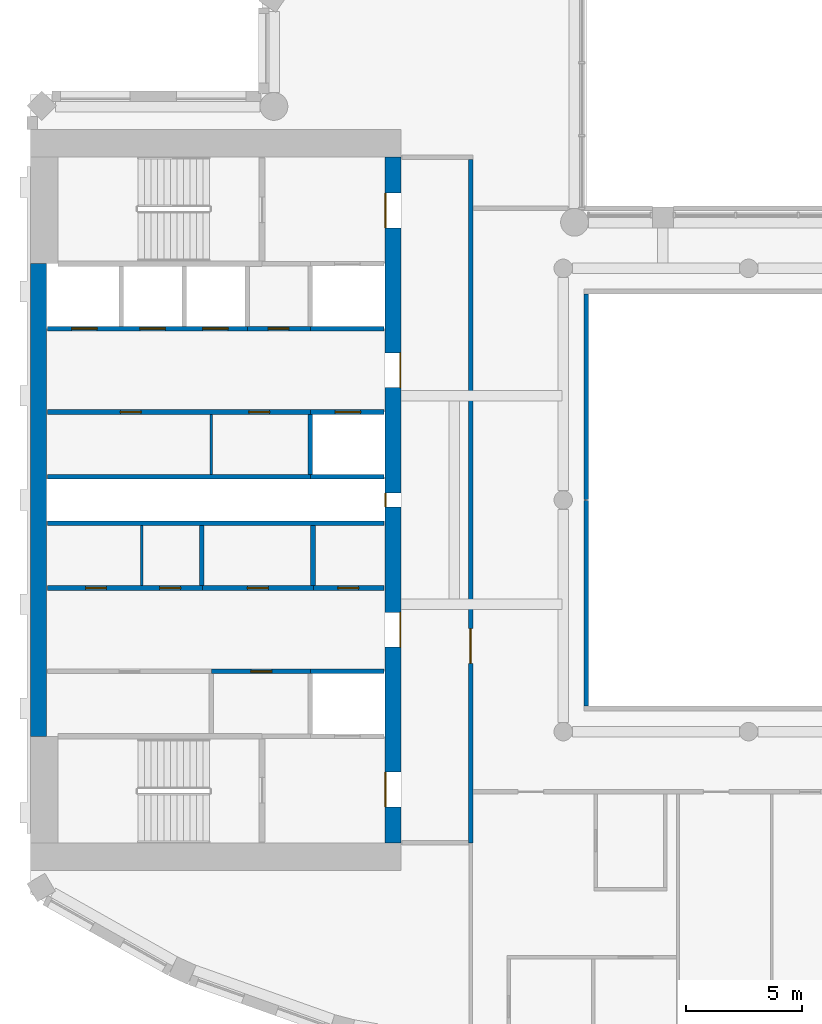
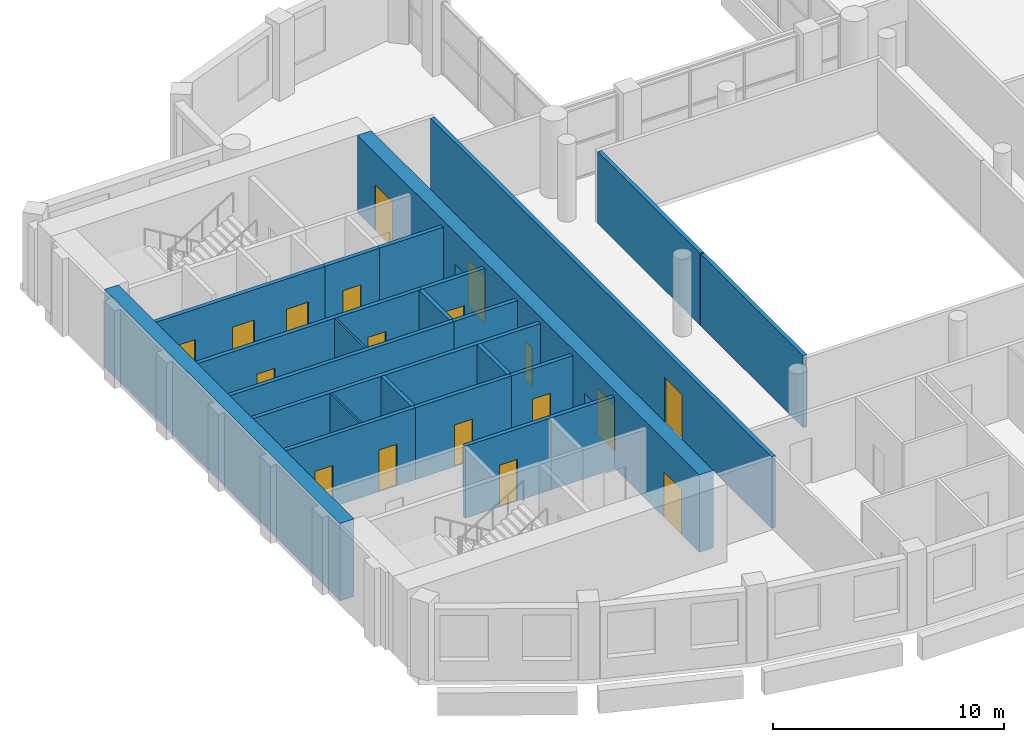
# One storey, part 5 of 15: 23 walls, 18 doors, 18 openings.
"""IFC4 building model written with IfcOpenShell, lengths in metres."""

from ifc_helpers import new_model, si_unit, direction, frame, frame_2d, origin, place, context, subcontext, project, spatial, rectangle, extrude, material, layer, layer_set, type_object, element, fill, save


model = new_model("IFC4")

# Units and contexts
model_context = context("Model", 3, precision=1e-05, world=origin(), true_north=direction((0.0, 1.0)))
body_context = subcontext(model_context, "Body", "Model", "MODEL_VIEW")
ifc_project = project(units=[si_unit("LENGTHUNIT", "METRE"), si_unit("AREAUNIT", "SQUARE_METRE"), si_unit("VOLUMEUNIT", "CUBIC_METRE"), si_unit("PLANEANGLEUNIT", "RADIAN"), si_unit("MASSUNIT", "GRAM", prefix="KILO")], contexts=[model_context])

# Site, building, storey
site_placement = place(None, origin())
site = spatial("IfcSite", under=ifc_project, at=site_placement, CompositionType="ELEMENT")
building_placement = place(site_placement, origin())
building = spatial("IfcBuilding", under=site, at=building_placement, Name="Cypress Arch Tower", CompositionType="ELEMENT")
storey_placement = place(building_placement, frame((0.0, 0.0, 321.300048828125)))
storey = spatial("IfcBuildingStorey", under=building, at=storey_placement, Name="L73", CompositionType="ELEMENT", Elevation=321.300048828125)

# Wall, openings, doors
ifc_material_1 = material(Name="Concrete C60/75", Category="concrete")
ifc_layer_1 = layer(ifc_material_1, 0.699951171875)
ifc_layer_set_1 = layer_set([ifc_layer_1], Name="Core wall CW700 C60/75")
wall_type_1 = type_object("IfcWallType", Name="Core wall CW700 C60/75", PredefinedType="SHEAR", material=ifc_layer_set_1)
wall_1_placement = place(storey_placement, frame((-14.35009765625, -14.800048828125, 0.0), z_axis=(0.0, 0.0, 1.0), x_axis=(0.0, 1.0, 0.0)))
wall_1 = element("IfcWall", 1, at=wall_1_placement, inside=storey, type_object=wall_type_1, Name="Core wall", PredefinedType="SHEAR", context=body_context, shape_type="SweptSolid", body=[
    extrude(rectangle(XDim=29.60009765625, YDim=0.699951171875, at=frame_2d((14.800048828125, 0.0))), origin(), (0.0, 0.0, 1.0), 4.099853515625),
])
opening_1_placement = place(wall_1_placement, frame((1.550048828125, 0.0, 0.0)))
opening_1 = element("IfcOpeningElement", 2, at=opening_1_placement, cuts=wall_1, Name="Opening D07", PredefinedType="OPENING", context=body_context, shape_type="SweptSolid", body=[
    extrude(rectangle(XDim=1.5, YDim=2.39990234375, at=frame_2d((0.75, 1.199951171875))), frame((0.0, 0.35986328125, 0.0), z_axis=(0.0, -1.0, 0.0), x_axis=(1.0, 0.0, 0.0)), (0.0, 0.0, 1.0), 0.719970703125),
])
opening_2_placement = place(wall_1_placement, frame((26.550048828125, 0.0, 0.0)))
opening_2 = element("IfcOpeningElement", 3, at=opening_2_placement, cuts=wall_1, Name="Opening D07", PredefinedType="OPENING", context=body_context, shape_type="SweptSolid", body=[
    extrude(rectangle(XDim=1.5, YDim=2.39990234375, at=frame_2d((0.75, 1.199951171875))), frame((0.0, 0.35986328125, 0.0), z_axis=(0.0, -1.0, 0.0), x_axis=(1.0, 0.0, 0.0)), (0.0, 0.0, 1.0), 0.719970703125),
])
opening_3_placement = place(wall_1_placement, frame((8.449951171875, 0.0, 0.0)))
opening_3 = element("IfcOpeningElement", 4, at=opening_3_placement, cuts=wall_1, Name="Opening D07", PredefinedType="OPENING", context=body_context, shape_type="SweptSolid", body=[
    extrude(rectangle(XDim=1.5, YDim=2.39990234375, at=frame_2d((0.75, 1.199951171875))), frame((0.0, 0.35986328125, 0.0), z_axis=(0.0, -1.0, 0.0), x_axis=(1.0, 0.0, 0.0)), (0.0, 0.0, 1.0), 0.719970703125),
])
opening_4_placement = place(wall_1_placement, frame((19.64990234375, 0.0, 0.0)))
opening_4 = element("IfcOpeningElement", 5, at=opening_4_placement, cuts=wall_1, Name="Opening D07", PredefinedType="OPENING", context=body_context, shape_type="SweptSolid", body=[
    extrude(rectangle(XDim=1.5, YDim=2.39990234375, at=frame_2d((0.75, 1.199951171875))), frame((0.0, 0.35986328125, 0.0), z_axis=(0.0, -1.0, 0.0), x_axis=(1.0, 0.0, 0.0)), (0.0, 0.0, 1.0), 0.719970703125),
])
opening_5_placement = place(wall_1_placement, frame((14.5, 0.0, 0.0)))
opening_5 = element("IfcOpeningElement", 6, at=opening_5_placement, cuts=wall_1, Name="Opening D08", PredefinedType="OPENING", context=body_context, shape_type="SweptSolid", body=[
    extrude(rectangle(XDim=0.60009765625, YDim=2.0, at=frame_2d((0.300048828125, 1.0))), frame((0.0, 0.35986328125, 0.0), z_axis=(0.0, -1.0, 0.0), x_axis=(1.0, 0.0, 0.0)), (0.0, 0.0, 1.0), 0.719970703125),
])
ifc_material_2 = material(Name="Steel framed glazed door, fire resisting", Category="steel")
door_type_1 = type_object("IfcDoorType", Name="Lobby door D07 1500x2400", OperationType="DOUBLE_DOOR_SINGLE_SWING", PredefinedType="DOOR", material=ifc_material_2)
door_1_placement = place(opening_1_placement, origin())
door_1 = element("IfcDoor", 7, at=door_1_placement, inside=storey, type_object=door_type_1, Name="Lobby door", OperationType="DOUBLE_DOOR_SINGLE_SWING", OverallHeight=2.39990234375, OverallWidth=1.5, PredefinedType="DOOR", context=body_context, shape_type="SweptSolid", body=[
    extrude(rectangle(XDim=1.5, YDim=2.39990234375, at=frame_2d((0.75, 1.199951171875))), frame((0.0, 0.34521484375, 0.0), z_axis=(0.0, -1.0, 0.0), x_axis=(1.0, 0.0, 0.0)), (0.0, 0.0, 1.0), 0.050048828125),
])
fill(opening_1, door_1)
door_2_placement = place(opening_2_placement, origin())
door_2 = element("IfcDoor", 8, at=door_2_placement, inside=storey, type_object=door_type_1, Name="Lobby door", OperationType="DOUBLE_DOOR_SINGLE_SWING", OverallHeight=2.39990234375, OverallWidth=1.5, PredefinedType="DOOR", context=body_context, shape_type="SweptSolid", body=[
    extrude(rectangle(XDim=1.5, YDim=2.39990234375, at=frame_2d((0.75, 1.199951171875))), frame((0.0, 0.34521484375, 0.0), z_axis=(0.0, -1.0, 0.0), x_axis=(1.0, 0.0, 0.0)), (0.0, 0.0, 1.0), 0.050048828125),
])
fill(opening_2, door_2)
door_3_placement = place(opening_3_placement, origin())
door_3 = element("IfcDoor", 9, at=door_3_placement, inside=storey, type_object=door_type_1, Name="Lobby door", OperationType="DOUBLE_DOOR_SINGLE_SWING", OverallHeight=2.39990234375, OverallWidth=1.5, PredefinedType="DOOR", context=body_context, shape_type="SweptSolid", body=[
    extrude(rectangle(XDim=1.5, YDim=2.39990234375, at=frame_2d((0.75, 1.199951171875))), frame((0.0, -0.294921875, 0.0), z_axis=(0.0, -1.0, 0.0), x_axis=(1.0, 0.0, 0.0)), (0.0, 0.0, 1.0), 0.050048828125),
])
fill(opening_3, door_3)
door_4_placement = place(opening_4_placement, origin())
door_4 = element("IfcDoor", 10, at=door_4_placement, inside=storey, type_object=door_type_1, Name="Lobby door", OperationType="DOUBLE_DOOR_SINGLE_SWING", OverallHeight=2.39990234375, OverallWidth=1.5, PredefinedType="DOOR", context=body_context, shape_type="SweptSolid", body=[
    extrude(rectangle(XDim=1.5, YDim=2.39990234375, at=frame_2d((0.75, 1.199951171875))), frame((0.0, -0.294921875, 0.0), z_axis=(0.0, -1.0, 0.0), x_axis=(1.0, 0.0, 0.0)), (0.0, 0.0, 1.0), 0.050048828125),
])
fill(opening_4, door_4)
ifc_material_3 = material(Name="Steel access door, fire resisting", Category="steel")
door_type_2 = type_object("IfcDoorType", Name="Riser access door D08 600x2000", OperationType="SINGLE_SWING_LEFT", PredefinedType="DOOR", material=ifc_material_3)
door_5_placement = place(opening_5_placement, origin())
door_5 = element("IfcDoor", 11, at=door_5_placement, inside=storey, type_object=door_type_2, Name="Riser access door", OperationType="SINGLE_SWING_RIGHT", OverallHeight=2.0, OverallWidth=0.60009765625, PredefinedType="DOOR", context=body_context, shape_type="SweptSolid", body=[
    extrude(rectangle(XDim=0.60009765625, YDim=2.0, at=frame_2d((0.300048828125, 1.0))), frame((0.0, 0.34521484375, 0.0), z_axis=(0.0, -1.0, 0.0), x_axis=(1.0, 0.0, 0.0)), (0.0, 0.0, 1.0), 0.050048828125),
])
fill(opening_5, door_5)

# Wall
wall_2_placement = place(storey_placement, frame((-29.64990234375, -10.199951171875, 0.0), z_axis=(0.0, 0.0, 1.0), x_axis=(0.0, 1.0, 0.0)))
element("IfcWall", 12, at=wall_2_placement, inside=storey, type_object=wall_type_1, Name="Core wall", PredefinedType="SHEAR", context=body_context, shape_type="SweptSolid", body=[
    extrude(rectangle(XDim=20.39990234375, YDim=0.699951171875, at=frame_2d((10.199951171875, 0.0))), origin(), (0.0, 0.0, 1.0), 4.099853515625),
])

# Wall, openings, doors
ifc_material_4 = material(Name="Concrete blockwork, plastered, rated", Category="masonry")
ifc_layer_2 = layer(ifc_material_4, 0.199951171875)
ifc_layer_set_2 = layer_set([ifc_layer_2], Name="Corridor wall FW200")
wall_type_2 = type_object("IfcWallType", Name="Corridor wall FW200", PredefinedType="PARTITIONING", material=ifc_layer_set_2)
wall_3_placement = place(storey_placement, frame((-29.27001953125, -3.800048828125, 0.0), z_axis=(0.0, 0.0, 1.0), x_axis=(1.0, 0.0, 0.0)))
wall_3 = element("IfcWall", 13, at=wall_3_placement, inside=storey, type_object=wall_type_2, Name="Corridor wall", PredefinedType="PARTITIONING", context=body_context, shape_type="SweptSolid", body=[
    extrude(rectangle(XDim=6.68994140625, YDim=0.199951171875, at=frame_2d((3.344970703125, 0.0))), origin(), (0.0, 0.0, 1.0), 3.800048828125),
])
opening_6_placement = place(wall_3_placement, frame((1.64990234375, 0.0, 0.0)))
opening_6 = element("IfcOpeningElement", 14, at=opening_6_placement, cuts=wall_3, Name="Opening D05", PredefinedType="OPENING", context=body_context, shape_type="SweptSolid", body=[
    extrude(rectangle(XDim=0.89990234375, YDim=2.199951171875, at=frame_2d((0.449951171875, 1.10009765625))), frame((0.0, 0.10986328125, 0.0), z_axis=(0.0, -1.0, 0.0), x_axis=(1.0, 0.0, 0.0)), (0.0, 0.0, 1.0), 0.219970703125),
])
opening_7_placement = place(wall_3_placement, frame((4.85009765625, 0.0, 0.0)))
opening_7 = element("IfcOpeningElement", 15, at=opening_7_placement, cuts=wall_3, Name="Opening D05", PredefinedType="OPENING", context=body_context, shape_type="SweptSolid", body=[
    extrude(rectangle(XDim=0.89990234375, YDim=2.199951171875, at=frame_2d((0.449951171875, 1.10009765625))), frame((0.0, 0.10986328125, 0.0), z_axis=(0.0, -1.0, 0.0), x_axis=(1.0, 0.0, 0.0)), (0.0, 0.0, 1.0), 0.219970703125),
])
ifc_material_5 = material(Name="Timber flush door", Category="wood")
door_type_3 = type_object("IfcDoorType", Name="Service door D05 900x2200", OperationType="SINGLE_SWING_LEFT", PredefinedType="DOOR", material=ifc_material_5)
door_6_placement = place(opening_6_placement, origin())
door_6 = element("IfcDoor", 16, at=door_6_placement, inside=storey, type_object=door_type_3, Name="Service door", OperationType="SINGLE_SWING_RIGHT", OverallHeight=2.199951171875, OverallWidth=0.89990234375, PredefinedType="DOOR", context=body_context, shape_type="SweptSolid", body=[
    extrude(rectangle(XDim=0.89990234375, YDim=2.199951171875, at=frame_2d((0.449951171875, 1.10009765625))), frame((0.0, 0.02490234375, 0.0), z_axis=(0.0, -1.0, 0.0), x_axis=(1.0, 0.0, 0.0)), (0.0, 0.0, 1.0), 0.050048828125),
])
fill(opening_6, door_6)
door_7_placement = place(opening_7_placement, origin())
door_7 = element("IfcDoor", 17, at=door_7_placement, inside=storey, type_object=door_type_3, Name="Service door", OperationType="SINGLE_SWING_LEFT", OverallHeight=2.199951171875, OverallWidth=0.89990234375, PredefinedType="DOOR", context=body_context, shape_type="SweptSolid", body=[
    extrude(rectangle(XDim=0.89990234375, YDim=2.199951171875, at=frame_2d((0.449951171875, 1.10009765625))), frame((0.0, 0.02490234375, 0.0), z_axis=(0.0, -1.0, 0.0), x_axis=(1.0, 0.0, 0.0)), (0.0, 0.0, 1.0), 0.050048828125),
])
fill(opening_7, door_7)

wall_4_placement = place(storey_placement, frame((-29.27001953125, 3.800048828125, 0.0), z_axis=(0.0, 0.0, 1.0), x_axis=(1.0, 0.0, 0.0)))
wall_4 = element("IfcWall", 18, at=wall_4_placement, inside=storey, type_object=wall_type_2, Name="Corridor wall", PredefinedType="PARTITIONING", context=body_context, shape_type="SweptSolid", body=[
    extrude(rectangle(XDim=11.3701171875, YDim=0.199951171875, at=frame_2d((5.68505859375, 0.0))), origin(), (0.0, 0.0, 1.0), 3.800048828125),
])
opening_8_placement = place(wall_4_placement, frame((3.14990234375, 0.0, 0.0)))
opening_8 = element("IfcOpeningElement", 19, at=opening_8_placement, cuts=wall_4, Name="Opening D05", PredefinedType="OPENING", context=body_context, shape_type="SweptSolid", body=[
    extrude(rectangle(XDim=0.89990234375, YDim=2.199951171875, at=frame_2d((0.449951171875, 1.10009765625))), frame((0.0, 0.10986328125, 0.0), z_axis=(0.0, -1.0, 0.0), x_axis=(1.0, 0.0, 0.0)), (0.0, 0.0, 1.0), 0.219970703125),
])
opening_9_placement = place(wall_4_placement, frame((8.699951171875, 0.0, 0.0)))
opening_9 = element("IfcOpeningElement", 20, at=opening_9_placement, cuts=wall_4, Name="Opening D05", PredefinedType="OPENING", context=body_context, shape_type="SweptSolid", body=[
    extrude(rectangle(XDim=0.89990234375, YDim=2.199951171875, at=frame_2d((0.449951171875, 1.10009765625))), frame((0.0, 0.10986328125, 0.0), z_axis=(0.0, -1.0, 0.0), x_axis=(1.0, 0.0, 0.0)), (0.0, 0.0, 1.0), 0.219970703125),
])
door_8_placement = place(opening_8_placement, origin())
door_8 = element("IfcDoor", 21, at=door_8_placement, inside=storey, type_object=door_type_3, Name="Service door", OperationType="SINGLE_SWING_LEFT", OverallHeight=2.199951171875, OverallWidth=0.89990234375, PredefinedType="DOOR", context=body_context, shape_type="SweptSolid", body=[
    extrude(rectangle(XDim=0.89990234375, YDim=2.199951171875, at=frame_2d((0.449951171875, 1.10009765625))), frame((0.0, 0.02490234375, 0.0), z_axis=(0.0, -1.0, 0.0), x_axis=(1.0, 0.0, 0.0)), (0.0, 0.0, 1.0), 0.050048828125),
])
fill(opening_8, door_8)
door_9_placement = place(opening_9_placement, origin())
door_9 = element("IfcDoor", 22, at=door_9_placement, inside=storey, type_object=door_type_3, Name="Service door", OperationType="SINGLE_SWING_RIGHT", OverallHeight=2.199951171875, OverallWidth=0.89990234375, PredefinedType="DOOR", context=body_context, shape_type="SweptSolid", body=[
    extrude(rectangle(XDim=0.89990234375, YDim=2.199951171875, at=frame_2d((0.449951171875, 1.10009765625))), frame((0.0, 0.02490234375, 0.0), z_axis=(0.0, -1.0, 0.0), x_axis=(1.0, 0.0, 0.0)), (0.0, 0.0, 1.0), 0.050048828125),
])
fill(opening_9, door_9)

# Wall, opening, door
wall_5_placement = place(storey_placement, frame((-20.639892578125, 7.39990234375, 0.0), z_axis=(0.0, 0.0, 1.0), x_axis=(1.0, 0.0, 0.0)))
wall_5 = element("IfcWall", 23, at=wall_5_placement, inside=storey, type_object=wall_type_2, Name="Corridor wall", PredefinedType="PARTITIONING", context=body_context, shape_type="SweptSolid", body=[
    extrude(rectangle(XDim=2.719970703125, YDim=0.199951171875, at=frame_2d((1.35986328125, 0.0))), origin(), (0.0, 0.0, 1.0), 3.800048828125),
])
opening_10_placement = place(wall_5_placement, frame((0.89990234375, 0.0, 0.0)))
opening_10 = element("IfcOpeningElement", 24, at=opening_10_placement, cuts=wall_5, Name="Opening D05", PredefinedType="OPENING", context=body_context, shape_type="SweptSolid", body=[
    extrude(rectangle(XDim=0.89990234375, YDim=2.199951171875, at=frame_2d((0.449951171875, 1.10009765625))), frame((0.0, 0.10986328125, 0.0), z_axis=(0.0, -1.0, 0.0), x_axis=(1.0, 0.0, 0.0)), (0.0, 0.0, 1.0), 0.219970703125),
])
door_10_placement = place(opening_10_placement, origin())
door_10 = element("IfcDoor", 25, at=door_10_placement, inside=storey, type_object=door_type_3, Name="Service door", OperationType="SINGLE_SWING_LEFT", OverallHeight=2.199951171875, OverallWidth=0.89990234375, PredefinedType="DOOR", context=body_context, shape_type="SweptSolid", body=[
    extrude(rectangle(XDim=0.89990234375, YDim=2.199951171875, at=frame_2d((0.449951171875, 1.10009765625))), frame((0.0, 0.02490234375, 0.0), z_axis=(0.0, -1.0, 0.0), x_axis=(1.0, 0.0, 0.0)), (0.0, 0.0, 1.0), 0.050048828125),
])
fill(opening_10, door_10)

wall_6_placement = place(storey_placement, frame((-17.780029296875, -3.800048828125, 0.0), z_axis=(0.0, 0.0, 1.0), x_axis=(1.0, 0.0, 0.0)))
wall_6 = element("IfcWall", 26, at=wall_6_placement, inside=storey, type_object=wall_type_2, Name="Corridor wall", PredefinedType="PARTITIONING", context=body_context, shape_type="SweptSolid", body=[
    extrude(rectangle(XDim=3.050048828125, YDim=0.199951171875, at=frame_2d((1.52490234375, 0.0))), origin(), (0.0, 0.0, 1.0), 3.800048828125),
])
opening_11_placement = place(wall_6_placement, frame((1.050048828125, 0.0, 0.0)))
opening_11 = element("IfcOpeningElement", 27, at=opening_11_placement, cuts=wall_6, Name="Opening D05", PredefinedType="OPENING", context=body_context, shape_type="SweptSolid", body=[
    extrude(rectangle(XDim=0.89990234375, YDim=2.199951171875, at=frame_2d((0.449951171875, 1.10009765625))), frame((0.0, 0.10986328125, 0.0), z_axis=(0.0, -1.0, 0.0), x_axis=(1.0, 0.0, 0.0)), (0.0, 0.0, 1.0), 0.219970703125),
])
door_11_placement = place(opening_11_placement, origin())
door_11 = element("IfcDoor", 28, at=door_11_placement, inside=storey, type_object=door_type_3, Name="Service door", OperationType="SINGLE_SWING_LEFT", OverallHeight=2.199951171875, OverallWidth=0.89990234375, PredefinedType="DOOR", context=body_context, shape_type="SweptSolid", body=[
    extrude(rectangle(XDim=0.89990234375, YDim=2.199951171875, at=frame_2d((0.449951171875, 1.10009765625))), frame((0.0, 0.02490234375, 0.0), z_axis=(0.0, -1.0, 0.0), x_axis=(1.0, 0.0, 0.0)), (0.0, 0.0, 1.0), 0.050048828125),
])
fill(opening_11, door_11)

wall_7_placement = place(storey_placement, frame((-11.0, -14.800048828125, 0.0), z_axis=(0.0, 0.0, 1.0), x_axis=(0.0, 1.0, 0.0)))
wall_7 = element("IfcWall", 29, at=wall_7_placement, inside=storey, type_object=wall_type_2, Name="Corridor wall", PredefinedType="PARTITIONING", context=body_context, shape_type="SweptSolid", body=[
    extrude(rectangle(XDim=29.5, YDim=0.199951171875, at=frame_2d((14.75, 0.0))), origin(), (0.0, 0.0, 1.0), 3.800048828125),
])
opening_12_placement = place(wall_7_placement, frame((7.75, 0.0, 0.0)))
opening_12 = element("IfcOpeningElement", 30, at=opening_12_placement, cuts=wall_7, Name="Opening D07", PredefinedType="OPENING", context=body_context, shape_type="SweptSolid", body=[
    extrude(rectangle(XDim=1.5, YDim=2.39990234375, at=frame_2d((0.75, 1.199951171875))), frame((0.0, 0.10986328125, 0.0), z_axis=(0.0, -1.0, 0.0), x_axis=(1.0, 0.0, 0.0)), (0.0, 0.0, 1.0), 0.219970703125),
])
door_12_placement = place(opening_12_placement, origin())
door_12 = element("IfcDoor", 31, at=door_12_placement, inside=storey, type_object=door_type_1, Name="Lobby door", OperationType="DOUBLE_DOOR_SINGLE_SWING", OverallHeight=2.39990234375, OverallWidth=1.5, PredefinedType="DOOR", context=body_context, shape_type="SweptSolid", body=[
    extrude(rectangle(XDim=1.5, YDim=2.39990234375, at=frame_2d((0.75, 1.199951171875))), frame((0.0, 0.02490234375, 0.0), z_axis=(0.0, -1.0, 0.0), x_axis=(1.0, 0.0, 0.0)), (0.0, 0.0, 1.0), 0.050048828125),
])
fill(opening_12, door_12)

# Walls
for number, where, z_axis, x_axis, name in (
    (32, (-6.0, -8.89990234375, 0.0), (0.0, 0.0, 1.0), (0.0, 1.0, 0.0), "Corridor wall"),
    (33, (-6.0, 0.02001953125, 0.0), (0.0, 0.0, 1.0), (0.0, 1.0, 0.0), "Corridor wall"),
):
    element("IfcWall", number, at=place(storey_placement, frame(where, z_axis=z_axis, x_axis=x_axis)), inside=storey, type_object=wall_type_2, Name=name, PredefinedType="PARTITIONING", context=body_context, shape_type="SweptSolid", body=[
        extrude(rectangle(XDim=8.8798828125, YDim=0.199951171875, at=frame_2d((4.43994140625, 0.0))), origin(), (0.0, 0.0, 1.0), 3.800048828125),
    ])
ifc_material_6 = material(Name="Reinforced blockwork, plastered, rated", Category="masonry")
ifc_layer_3 = layer(ifc_material_6, 0.199951171875)
ifc_layer_set_3 = layer_set([ifc_layer_3], Name="Plant and riser wall PL200")
wall_type_3 = type_object("IfcWallType", Name="Plant and riser wall PL200", PredefinedType="PARTITIONING", material=ifc_layer_set_3)
wall_8_placement = place(storey_placement, frame((-29.27001953125, -1.0, 0.0), z_axis=(0.0, 0.0, 1.0), x_axis=(1.0, 0.0, 0.0)))
element("IfcWall", 34, at=wall_8_placement, inside=storey, type_object=wall_type_3, Name="Plant and riser wall", PredefinedType="PARTITIONING", context=body_context, shape_type="SweptSolid", body=[
    extrude(rectangle(XDim=14.5400390625, YDim=0.199951171875, at=frame_2d((7.27001953125, 0.0))), origin(), (0.0, 0.0, 1.0), 3.800048828125),
])
wall_9_placement = place(storey_placement, frame((-29.27001953125, 1.0, 0.0), z_axis=(0.0, 0.0, 1.0), x_axis=(1.0, 0.0, 0.0)))
element("IfcWall", 35, at=wall_9_placement, inside=storey, type_object=wall_type_3, Name="Plant and riser wall", PredefinedType="PARTITIONING", context=body_context, shape_type="SweptSolid", body=[
    extrude(rectangle(XDim=11.3701171875, YDim=0.199951171875, at=frame_2d((5.68505859375, 0.0))), origin(), (0.0, 0.0, 1.0), 3.800048828125),
])

# Wall, opening, door
wall_10_placement = place(storey_placement, frame((-22.580078125, -3.800048828125, 0.0), z_axis=(0.0, 0.0, 1.0), x_axis=(1.0, 0.0, 0.0)))
wall_10 = element("IfcWall", 36, at=wall_10_placement, inside=storey, type_object=wall_type_3, Name="Plant and riser wall", PredefinedType="PARTITIONING", context=body_context, shape_type="SweptSolid", body=[
    extrude(rectangle(XDim=4.800048828125, YDim=0.199951171875, at=frame_2d((2.39990234375, 0.0))), origin(), (0.0, 0.0, 1.0), 3.800048828125),
])
opening_13_placement = place(wall_10_placement, frame((1.949951171875, 0.0, 0.0)))
opening_13 = element("IfcOpeningElement", 37, at=opening_13_placement, cuts=wall_10, Name="Opening D05", PredefinedType="OPENING", context=body_context, shape_type="SweptSolid", body=[
    extrude(rectangle(XDim=0.89990234375, YDim=2.199951171875, at=frame_2d((0.449951171875, 1.10009765625))), frame((0.0, 0.10986328125, 0.0), z_axis=(0.0, -1.0, 0.0), x_axis=(1.0, 0.0, 0.0)), (0.0, 0.0, 1.0), 0.219970703125),
])
door_13_placement = place(opening_13_placement, origin())
door_13 = element("IfcDoor", 38, at=door_13_placement, inside=storey, type_object=door_type_3, Name="Service door", OperationType="SINGLE_SWING_RIGHT", OverallHeight=2.199951171875, OverallWidth=0.89990234375, PredefinedType="DOOR", context=body_context, shape_type="SweptSolid", body=[
    extrude(rectangle(XDim=0.89990234375, YDim=2.199951171875, at=frame_2d((0.449951171875, 1.10009765625))), frame((0.0, 0.02490234375, 0.0), z_axis=(0.0, -1.0, 0.0), x_axis=(1.0, 0.0, 0.0)), (0.0, 0.0, 1.0), 0.050048828125),
])
fill(opening_13, door_13)

# Wall
wall_11_placement = place(storey_placement, frame((-22.60009765625, -3.699951171875, 0.0), z_axis=(0.0, 0.0, 1.0), x_axis=(0.0, 1.0, 0.0)))
element("IfcWall", 39, at=wall_11_placement, inside=storey, type_object=wall_type_3, Name="Plant and riser wall", PredefinedType="PARTITIONING", context=body_context, shape_type="SweptSolid", body=[
    extrude(rectangle(XDim=2.599853515625, YDim=0.199951171875, at=frame_2d((1.2998046875, 0.0))), origin(), (0.0, 0.0, 1.0), 3.800048828125),
])

# Wall, opening, door
wall_12_placement = place(storey_placement, frame((-22.179931640625, -7.39990234375, 0.0), z_axis=(0.0, 0.0, 1.0), x_axis=(1.0, 0.0, 0.0)))
wall_12 = element("IfcWall", 40, at=wall_12_placement, inside=storey, type_object=wall_type_3, Name="Plant and riser wall", PredefinedType="PARTITIONING", context=body_context, shape_type="SweptSolid", body=[
    extrude(rectangle(XDim=4.280029296875, YDim=0.199951171875, at=frame_2d((2.14013671875, 0.0))), origin(), (0.0, 0.0, 1.0), 3.800048828125),
])
opening_14_placement = place(wall_12_placement, frame((1.699951171875, 0.0, 0.0)))
opening_14 = element("IfcOpeningElement", 41, at=opening_14_placement, cuts=wall_12, Name="Opening D05", PredefinedType="OPENING", context=body_context, shape_type="SweptSolid", body=[
    extrude(rectangle(XDim=0.89990234375, YDim=2.199951171875, at=frame_2d((0.449951171875, 1.10009765625))), frame((0.0, 0.10986328125, 0.0), z_axis=(0.0, -1.0, 0.0), x_axis=(1.0, 0.0, 0.0)), (0.0, 0.0, 1.0), 0.219970703125),
])
door_14_placement = place(opening_14_placement, origin())
door_14 = element("IfcDoor", 42, at=door_14_placement, inside=storey, type_object=door_type_3, Name="Service door", OperationType="SINGLE_SWING_LEFT", OverallHeight=2.199951171875, OverallWidth=0.89990234375, PredefinedType="DOOR", context=body_context, shape_type="SweptSolid", body=[
    extrude(rectangle(XDim=0.89990234375, YDim=2.199951171875, at=frame_2d((0.449951171875, 1.10009765625))), frame((0.0, 0.02490234375, 0.0), z_axis=(0.0, -1.0, 0.0), x_axis=(1.0, 0.0, 0.0)), (0.0, 0.0, 1.0), 0.050048828125),
])
fill(opening_14, door_14)

# Wall
wall_13_placement = place(storey_placement, frame((-17.800048828125, -3.699951171875, 0.0), z_axis=(0.0, 0.0, 1.0), x_axis=(0.0, 1.0, 0.0)))
element("IfcWall", 43, at=wall_13_placement, inside=storey, type_object=wall_type_3, Name="Plant and riser wall", PredefinedType="PARTITIONING", context=body_context, shape_type="SweptSolid", body=[
    extrude(rectangle(XDim=2.599853515625, YDim=0.199951171875, at=frame_2d((1.2998046875, 0.0))), origin(), (0.0, 0.0, 1.0), 3.800048828125),
])

# Wall, openings, doors
ifc_material_7 = material(Name="Concrete C50/60", Category="concrete")
ifc_layer_4 = layer(ifc_material_7, 0.199951171875)
ifc_layer_set_4 = layer_set([ifc_layer_4], Name="Shaft wall SH200")
wall_type_4 = type_object("IfcWallType", Name="Shaft wall SH200", PredefinedType="SHEAR", material=ifc_layer_set_4)
wall_14_placement = place(storey_placement, frame((-29.27001953125, 7.39990234375, 0.0), z_axis=(0.0, 0.0, 1.0), x_axis=(1.0, 0.0, 0.0)))
wall_14 = element("IfcWall", 44, at=wall_14_placement, inside=storey, type_object=wall_type_4, Name="Shaft wall", PredefinedType="SHEAR", context=body_context, shape_type="SweptSolid", body=[
    extrude(rectangle(XDim=8.630126953125, YDim=0.199951171875, at=frame_2d((4.31494140625, 0.0))), origin(), (0.0, 0.0, 1.0), 3.800048828125),
])
opening_15_placement = place(wall_14_placement, frame((1.050048828125, 0.0, 0.0)))
opening_15 = element("IfcOpeningElement", 45, at=opening_15_placement, cuts=wall_14, Name="Opening LD-HR5", PredefinedType="OPENING", context=body_context, shape_type="SweptSolid", body=[
    extrude(rectangle(XDim=1.10009765625, YDim=2.199951171875, at=frame_2d((0.550048828125, 1.10009765625))), frame((0.0, 0.10986328125, 0.0), z_axis=(0.0, -1.0, 0.0), x_axis=(1.0, 0.0, 0.0)), (0.0, 0.0, 1.0), 0.219970703125),
])
opening_16_placement = place(wall_14_placement, frame((4.0, 0.0, 0.0)))
opening_16 = element("IfcOpeningElement", 46, at=opening_16_placement, cuts=wall_14, Name="Opening LD-HR6", PredefinedType="OPENING", context=body_context, shape_type="SweptSolid", body=[
    extrude(rectangle(XDim=1.10009765625, YDim=2.199951171875, at=frame_2d((0.550048828125, 1.10009765625))), frame((0.0, 0.10986328125, 0.0), z_axis=(0.0, -1.0, 0.0), x_axis=(1.0, 0.0, 0.0)), (0.0, 0.0, 1.0), 0.219970703125),
])
opening_17_placement = place(wall_14_placement, frame((6.699951171875, 0.0, 0.0)))
opening_17 = element("IfcOpeningElement", 47, at=opening_17_placement, cuts=wall_14, Name="Opening LD-HR7", PredefinedType="OPENING", context=body_context, shape_type="SweptSolid", body=[
    extrude(rectangle(XDim=1.10009765625, YDim=2.199951171875, at=frame_2d((0.550048828125, 1.10009765625))), frame((0.0, 0.10986328125, 0.0), z_axis=(0.0, -1.0, 0.0), x_axis=(1.0, 0.0, 0.0)), (0.0, 0.0, 1.0), 0.219970703125),
])
ifc_material_8 = material(Name="Stainless steel centre-opening landing door, rated", Category="steel")
door_type_4 = type_object("IfcDoorType", Name="Lift landing door LD 1100x2200", OperationType="DOUBLE_DOOR_SLIDING", PredefinedType="DOOR", material=ifc_material_8)
door_15_placement = place(opening_15_placement, origin())
door_15 = element("IfcDoor", 48, at=door_15_placement, inside=storey, type_object=door_type_4, Name="Lift landing doors HR5", OperationType="DOUBLE_DOOR_SLIDING", OverallHeight=2.199951171875, OverallWidth=1.10009765625, PredefinedType="DOOR", context=body_context, shape_type="SweptSolid", body=[
    extrude(rectangle(XDim=1.10009765625, YDim=2.199951171875, at=frame_2d((0.550048828125, 1.10009765625))), frame((0.0, 0.02490234375, 0.0), z_axis=(0.0, -1.0, 0.0), x_axis=(1.0, 0.0, 0.0)), (0.0, 0.0, 1.0), 0.050048828125),
])
fill(opening_15, door_15)
door_16_placement = place(opening_16_placement, origin())
door_16 = element("IfcDoor", 49, at=door_16_placement, inside=storey, type_object=door_type_4, Name="Lift landing doors HR6", OperationType="DOUBLE_DOOR_SLIDING", OverallHeight=2.199951171875, OverallWidth=1.10009765625, PredefinedType="DOOR", context=body_context, shape_type="SweptSolid", body=[
    extrude(rectangle(XDim=1.10009765625, YDim=2.199951171875, at=frame_2d((0.550048828125, 1.10009765625))), frame((0.0, 0.02490234375, 0.0), z_axis=(0.0, -1.0, 0.0), x_axis=(1.0, 0.0, 0.0)), (0.0, 0.0, 1.0), 0.050048828125),
])
fill(opening_16, door_16)
door_17_placement = place(opening_17_placement, origin())
door_17 = element("IfcDoor", 50, at=door_17_placement, inside=storey, type_object=door_type_4, Name="Lift landing doors HR7", OperationType="DOUBLE_DOOR_SLIDING", OverallHeight=2.199951171875, OverallWidth=1.10009765625, PredefinedType="DOOR", context=body_context, shape_type="SweptSolid", body=[
    extrude(rectangle(XDim=1.10009765625, YDim=2.199951171875, at=frame_2d((0.550048828125, 1.10009765625))), frame((0.0, 0.02490234375, 0.0), z_axis=(0.0, -1.0, 0.0), x_axis=(1.0, 0.0, 0.0)), (0.0, 0.0, 1.0), 0.050048828125),
])
fill(opening_17, door_17)

# Walls
wall_15_placement = place(storey_placement, frame((-17.89990234375, -7.39990234375, 0.0), z_axis=(0.0, 0.0, 1.0), x_axis=(1.0, 0.0, 0.0)))
element("IfcWall", 51, at=wall_15_placement, inside=storey, type_object=wall_type_4, Name="Shaft wall", PredefinedType="SHEAR", context=body_context, shape_type="SweptSolid", body=[
    extrude(rectangle(XDim=3.169921875, YDim=0.199951171875, at=frame_2d((1.5849609375, 0.0))), origin(), (0.0, 0.0, 1.0), 3.800048828125),
])
wall_16_placement = place(storey_placement, frame((-17.919921875, 1.10009765625, 0.0), z_axis=(0.0, 0.0, 1.0), x_axis=(0.0, 1.0, 0.0)))
element("IfcWall", 52, at=wall_16_placement, inside=storey, type_object=wall_type_4, Name="Shaft wall", PredefinedType="SHEAR", context=body_context, shape_type="SweptSolid", body=[
    extrude(rectangle(XDim=2.599853515625, YDim=0.199951171875, at=frame_2d((1.2998046875, 0.0))), origin(), (0.0, 0.0, 1.0), 3.800048828125),
])
wall_17_placement = place(storey_placement, frame((-17.89990234375, 1.0, 0.0), z_axis=(0.0, 0.0, 1.0), x_axis=(1.0, 0.0, 0.0)))
element("IfcWall", 53, at=wall_17_placement, inside=storey, type_object=wall_type_4, Name="Shaft wall", PredefinedType="SHEAR", context=body_context, shape_type="SweptSolid", body=[
    extrude(rectangle(XDim=3.169921875, YDim=0.199951171875, at=frame_2d((1.5849609375, 0.0))), origin(), (0.0, 0.0, 1.0), 3.800048828125),
])

# Wall, opening, door
wall_18_placement = place(storey_placement, frame((-17.89990234375, 3.800048828125, 0.0), z_axis=(0.0, 0.0, 1.0), x_axis=(1.0, 0.0, 0.0)))
wall_18 = element("IfcWall", 54, at=wall_18_placement, inside=storey, type_object=wall_type_4, Name="Shaft wall", PredefinedType="SHEAR", context=body_context, shape_type="SweptSolid", body=[
    extrude(rectangle(XDim=3.169921875, YDim=0.199951171875, at=frame_2d((1.5849609375, 0.0))), origin(), (0.0, 0.0, 1.0), 3.800048828125),
])
opening_18_placement = place(wall_18_placement, frame((1.050048828125, 0.0, 0.0)))
opening_18 = element("IfcOpeningElement", 55, at=opening_18_placement, cuts=wall_18, Name="Opening LD-HR4", PredefinedType="OPENING", context=body_context, shape_type="SweptSolid", body=[
    extrude(rectangle(XDim=1.10009765625, YDim=2.199951171875, at=frame_2d((0.550048828125, 1.10009765625))), frame((0.0, 0.10986328125, 0.0), z_axis=(0.0, -1.0, 0.0), x_axis=(1.0, 0.0, 0.0)), (0.0, 0.0, 1.0), 0.219970703125),
])
door_18_placement = place(opening_18_placement, origin())
door_18 = element("IfcDoor", 56, at=door_18_placement, inside=storey, type_object=door_type_4, Name="Lift landing doors HR4", OperationType="DOUBLE_DOOR_SLIDING", OverallHeight=2.199951171875, OverallWidth=1.10009765625, PredefinedType="DOOR", context=body_context, shape_type="SweptSolid", body=[
    extrude(rectangle(XDim=1.10009765625, YDim=2.199951171875, at=frame_2d((0.550048828125, 1.10009765625))), frame((0.0, 0.02490234375, 0.0), z_axis=(0.0, -1.0, 0.0), x_axis=(1.0, 0.0, 0.0)), (0.0, 0.0, 1.0), 0.050048828125),
])
fill(opening_18, door_18)

# Walls
wall_19_placement = place(storey_placement, frame((-17.919921875, 7.39990234375, 0.0), z_axis=(0.0, 0.0, 1.0), x_axis=(1.0, 0.0, 0.0)))
element("IfcWall", 57, at=wall_19_placement, inside=storey, type_object=wall_type_4, Name="Shaft wall", PredefinedType="SHEAR", context=body_context, shape_type="SweptSolid", body=[
    extrude(rectangle(XDim=3.18994140625, YDim=0.199951171875, at=frame_2d((1.594970703125, 0.0))), origin(), (0.0, 0.0, 1.0), 3.800048828125),
])
ifc_material_9 = material(Name="Moisture resistant board on steel studs, tiled", Category="steel")
ifc_layer_5 = layer(ifc_material_9, 0.10009765625)
ifc_layer_set_5 = layer_set([ifc_layer_5], Name="Wet wall PW100")
wall_type_5 = type_object("IfcWallType", Name="Wet wall PW100", PredefinedType="PARTITIONING", material=ifc_layer_set_5)
for number, where, z_axis, x_axis, name in (
    (58, (-25.199951171875, -3.699951171875, 0.0), (0.0, 0.0, 1.0), (0.0, 1.0, 0.0), "Wet wall"),
    (59, (-22.199951171875, 1.10009765625, 0.0), (0.0, 0.0, 1.0), (0.0, 1.0, 0.0), "Wet wall"),
):
    element("IfcWall", number, at=place(storey_placement, frame(where, z_axis=z_axis, x_axis=x_axis)), inside=storey, type_object=wall_type_5, Name=name, PredefinedType="PARTITIONING", context=body_context, shape_type="SweptSolid", body=[
        extrude(rectangle(XDim=2.599853515625, YDim=0.10009765625, at=frame_2d((1.2998046875, 0.0))), origin(), (0.0, 0.0, 1.0), 3.800048828125),
    ])

save(model, "model.ifc")
